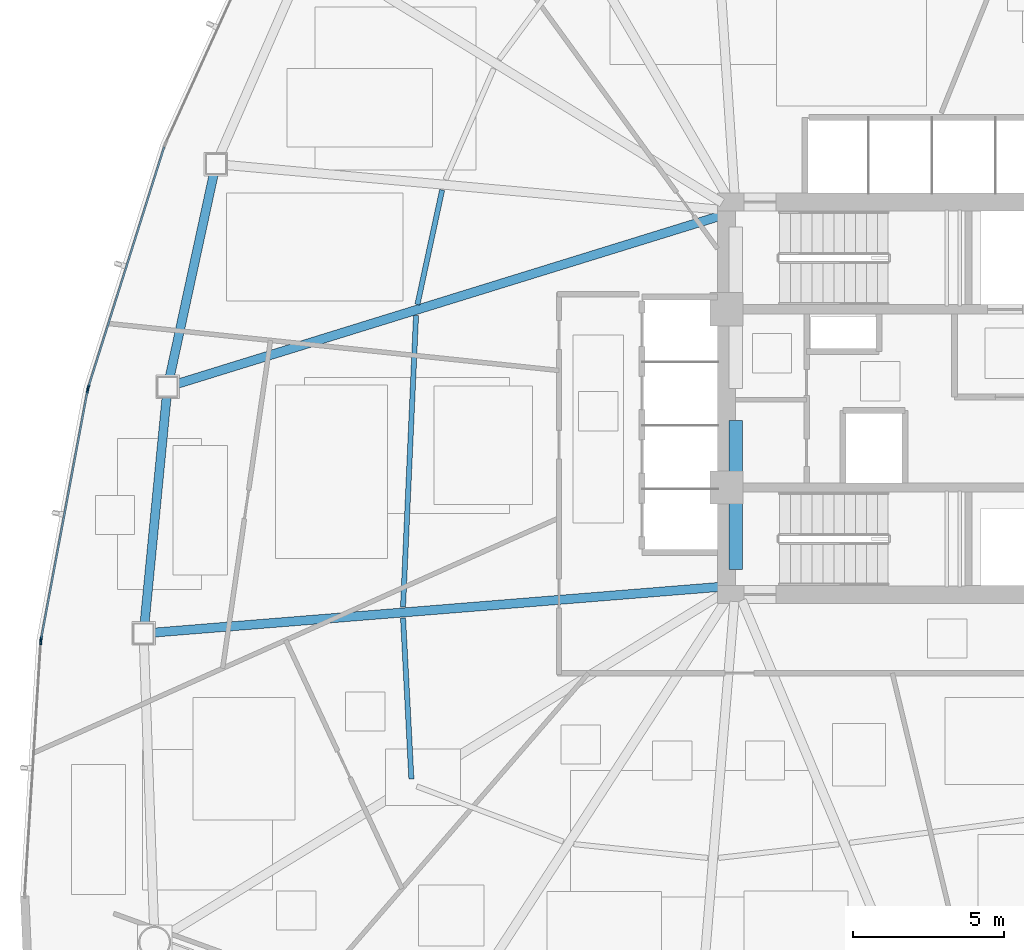
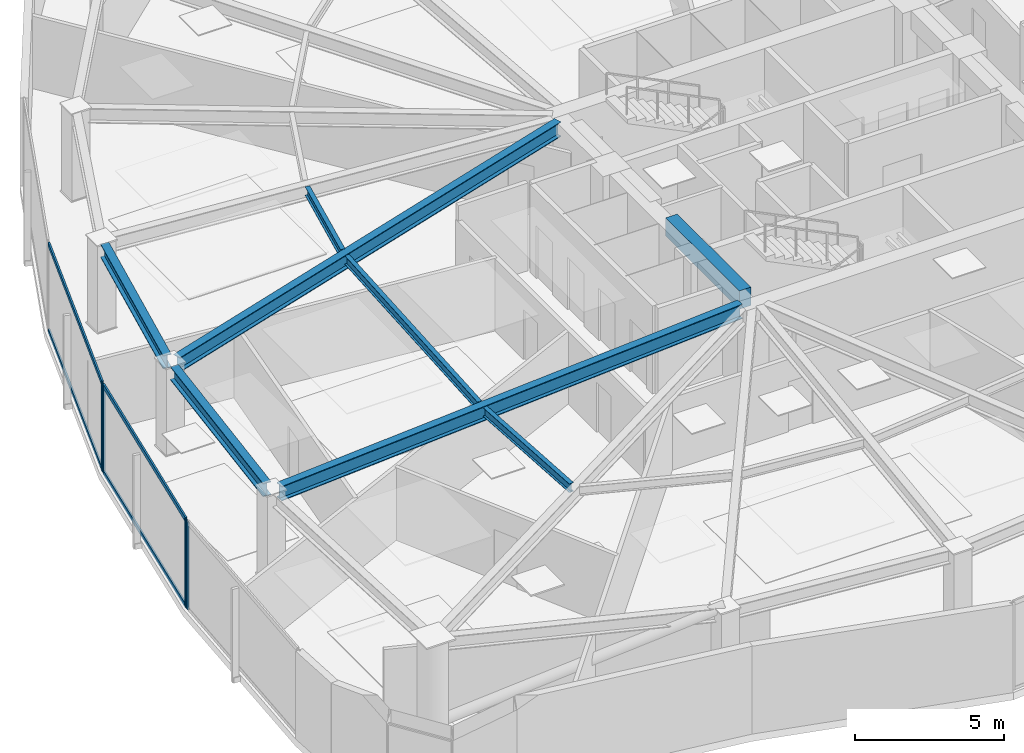
# One storey, part 4 of 18: 8 beams, 8 members, 3 elements without a shape of their own.
"""IFC4 building model written with IfcOpenShell, lengths in metres."""

from ifc_helpers import new_model, si_unit, direction, frame, origin, origin_2d, place, context, subcontext, project, spatial, rectangle, hollow_rectangle, i_section, extrude, source, transform, mapped, material, layer, layer_set, material_profile, profile_set, type_object, type_shapes, element, aggregate, save


model = new_model("IFC4")

# Units and contexts
model_context = context("Model", 3, precision=1e-05, world=origin(), true_north=direction((0.0, 1.0)))
body_context = subcontext(model_context, "Body", "Model", "MODEL_VIEW")
ifc_project = project(units=[si_unit("LENGTHUNIT", "METRE"), si_unit("AREAUNIT", "SQUARE_METRE"), si_unit("VOLUMEUNIT", "CUBIC_METRE"), si_unit("PLANEANGLEUNIT", "RADIAN"), si_unit("MASSUNIT", "GRAM", prefix="KILO")], contexts=[model_context])

# Site, building, storey
site_placement = place(None, origin())
site = spatial("IfcSite", under=ifc_project, at=site_placement, CompositionType="ELEMENT")
building_placement = place(site_placement, origin())
building = spatial("IfcBuilding", under=site, at=building_placement, Name="Tavelor Broadcast Tower", CompositionType="ELEMENT")
storey_placement = place(building_placement, frame((0.0, 0.0, 62.699951171875)))
storey = spatial("IfcBuildingStorey", under=building, at=storey_placement, Name="L14", CompositionType="ELEMENT", Elevation=62.699951171875)

# Beams
ifc_material_1 = material(Name="Concrete C40/50", Category="concrete")
ifc_material_profile_1 = material_profile(ifc_material_1, rectangle(XDim=0.449951171875, YDim=0.75, at=origin_2d()), Name="RC 450x750")
ifc_profile_set_1 = profile_set([ifc_material_profile_1], Name="Concrete C40/50")
beam_type_1 = type_object("IfcBeamType", Name="Basement Core Trim Beam 450x750", PredefinedType="BEAM", material=ifc_profile_set_1)
beam_1_placement = place(storey_placement, frame((43.39990234375, 39.327880859375, 3.22509765625), z_axis=(0.0, 1.0, 0.0), x_axis=(-1.0, 0.0, 0.0)))
element("IfcBeam", 1, at=beam_1_placement, inside=storey, type_object=beam_type_1, Name="L14 Core West-S Tie Girder", PredefinedType="BEAM", context=body_context, shape_type="SweptSolid", body=[
    extrude(rectangle(XDim=0.449951171875, YDim=0.75, at=origin_2d()), origin(), (0.0, 0.0, 1.0), 4.944091796875),
])
ifc_material_2 = material(Name="Steel S355", Category="steel")
ifc_material_profile_2 = material_profile(ifc_material_2, i_section(OverallWidth=0.169921875, OverallDepth=0.360107421875, WebThickness=0.008056640625, FlangeThickness=0.0126953125, at=origin_2d()), Name="IPE 360")
ifc_profile_set_2 = profile_set([ifc_material_profile_2], Name="Steel S355")
beam_type_2 = type_object("IfcBeamType", Name="Composite Floor Joist T2 IPE 360", PredefinedType="JOIST", material=ifc_profile_set_2)
beam_2_placement = place(storey_placement, frame((33.679931640625, 51.899658203125, 3.420166015625), z_axis=(-0.210632825907, -0.97756524726, 0.0), x_axis=(0.97756524726, -0.210632825907, 0.0)))
element("IfcBeam", 2, at=beam_2_placement, inside=storey, type_object=beam_type_2, Name="L14 Secondary Composite Floor Joist 04", PredefinedType="JOIST", context=body_context, shape_type="SweptSolid", body=[
    extrude(i_section(OverallWidth=0.169921875, OverallDepth=0.360107421875, WebThickness=0.008056640625, FlangeThickness=0.0126953125, at=origin_2d()), origin(), (0.0, 0.0, 1.0), 3.8818359375),
])
beam_3_placement = place(storey_placement, frame((32.816162109375, 47.747314453125, 3.420166015625), z_axis=(-0.044602263152, -0.999004823873, 0.0), x_axis=(0.999004823873, -0.044602263152, 0.0)))
element("IfcBeam", 3, at=beam_3_placement, inside=storey, type_object=beam_type_2, Name="L14 Secondary Composite Floor Joist 05", PredefinedType="JOIST", context=body_context, shape_type="SweptSolid", body=[
    extrude(i_section(OverallWidth=0.169921875, OverallDepth=0.360107421875, WebThickness=0.008056640625, FlangeThickness=0.0126953125, at=origin_2d()), origin(), (0.0, 0.0, 1.0), 9.66650390625),
])
beam_4_placement = place(storey_placement, frame((32.386474609375, 37.72900390625, 3.420166015625), z_axis=(0.051611065527, -0.998667260861, 0.0), x_axis=(0.998667260861, 0.051611065527, 0.0)))
element("IfcBeam", 4, at=beam_4_placement, inside=storey, type_object=beam_type_2, Name="L14 Secondary Composite Floor Joist 06", PredefinedType="JOIST", context=body_context, shape_type="SweptSolid", body=[
    extrude(i_section(OverallWidth=0.169921875, OverallDepth=0.360107421875, WebThickness=0.008056640625, FlangeThickness=0.0126953125, at=origin_2d()), origin(), (0.0, 0.0, 1.0), 5.340576171875),
])
ifc_material_profile_3 = material_profile(ifc_material_2, i_section(OverallWidth=0.300048828125, OverallDepth=0.550048828125, WebThickness=0.014892578125, FlangeThickness=0.029052734375, at=origin_2d()), Name="HEB 550")
ifc_profile_set_3 = profile_set([ifc_material_profile_3], Name="Steel S355")
beam_type_3 = type_object("IfcBeamType", Name="Perimeter Spandrel Beam T2 HEB 550", PredefinedType="SPANDREL", material=ifc_profile_set_3)
beam_5_placement = place(storey_placement, frame((26.1181640625, 52.4296875, 3.324951171875), z_axis=(-0.211875421449, -0.977296682582, 0.0), x_axis=(0.977296682582, -0.211875421449, 0.0)))
element("IfcBeam", 5, at=beam_5_placement, inside=storey, type_object=beam_type_3, Name="L14 Framed-Tube Ring Spandrel 04", PredefinedType="SPANDREL", context=body_context, shape_type="SweptSolid", body=[
    extrude(i_section(OverallWidth=0.300048828125, OverallDepth=0.550048828125, WebThickness=0.014892578125, FlangeThickness=0.029052734375, at=origin_2d()), origin(), (0.0, 0.0, 1.0), 6.876708984375),
])
beam_6_placement = place(storey_placement, frame((24.557373046875, 45.04638671875, 3.324951171875), z_axis=(-0.096929220198, -0.9952912771, 0.0), x_axis=(0.9952912771, -0.096929220198, 0.0)))
element("IfcBeam", 6, at=beam_6_placement, inside=storey, type_object=beam_type_3, Name="L14 Framed-Tube Ring Spandrel 05", PredefinedType="SPANDREL", context=body_context, shape_type="SweptSolid", body=[
    extrude(i_section(OverallWidth=0.300048828125, OverallDepth=0.550048828125, WebThickness=0.014892578125, FlangeThickness=0.029052734375, at=origin_2d()), origin(), (0.0, 0.0, 1.0), 7.531005859375),
])
ifc_material_profile_4 = material_profile(ifc_material_2, i_section(OverallWidth=0.300048828125, OverallDepth=0.60009765625, WebThickness=0.015380859375, FlangeThickness=0.030029296875, at=origin_2d()), Name="HEB 600")
ifc_profile_set_4 = profile_set([ifc_material_profile_4], Name="Steel S355")
beam_type_4 = type_object("IfcBeamType", Name="Radial Floor Girder T2 HEB 600", PredefinedType="BEAM", material=ifc_profile_set_4)
beam_7_placement = place(storey_placement, frame((42.8955078125, 51.0439453125, 3.300048828125), z_axis=(-0.9553264377, -0.295552698231, 0.0), x_axis=(0.295552698231, -0.9553264377, 0.0)))
element("IfcBeam", 7, at=beam_7_placement, inside=storey, type_object=beam_type_4, Name="L14 Radial Primary Floor Girder 05", PredefinedType="BEAM", context=body_context, shape_type="SweptSolid", body=[
    extrude(i_section(OverallWidth=0.300048828125, OverallDepth=0.60009765625, WebThickness=0.015380859375, FlangeThickness=0.030029296875, at=origin_2d()), origin(), (0.0, 0.0, 1.0), 18.82568359375),
])
beam_8_placement = place(storey_placement, frame((42.873779296875, 38.757568359375, 3.300048828125), z_axis=(-0.996753141144, -0.080518169498, 0.0), x_axis=(0.080518169498, -0.996753141144, 0.0)))
element("IfcBeam", 8, at=beam_8_placement, inside=storey, type_object=beam_type_4, Name="L14 Radial Primary Floor Girder 06", PredefinedType="BEAM", context=body_context, shape_type="SweptSolid", body=[
    extrude(i_section(OverallWidth=0.300048828125, OverallDepth=0.60009765625, WebThickness=0.015380859375, FlangeThickness=0.030029296875, at=origin_2d()), origin(), (0.0, 0.0, 1.0), 18.80517578125),
])

# Curtain wall, member
ifc_material_3 = material(Name="Architectural Anodized Aluminium", Category="aluminium")
ifc_layer = layer(ifc_material_3, 0.179931640625)
ifc_layer_set = layer_set([ifc_layer], Name="Architectural Anodized Aluminium")
curtain_wall_type = type_object("IfcCurtainWallType", Name="Tower Low-Zone Unitised Curtain Wall CW02", PredefinedType="NOTDEFINED", material=ifc_layer_set)
curtain_wall_1_placement = place(storey_placement, origin())
curtain_wall_1 = element("IfcCurtainWall", 9, at=curtain_wall_1_placement, inside=storey, type_object=curtain_wall_type, Name="L14 Curtain Wall CW02 Run 122", PredefinedType="NOTDEFINED")
ifc_material_profile_5 = material_profile(ifc_material_3, hollow_rectangle(XDim=0.06494140625, YDim=0.179931640625, WallThickness=0.02197265625, at=origin_2d()), Name="RHS 65x180x22")
ifc_profile_set_5 = profile_set([ifc_material_profile_5], Name="Architectural Anodized Aluminium")
member_type_1 = type_object("IfcMemberType", Name="CW02 Extruded Aluminium Mullion 65x180", PredefinedType="MULLION", material=ifc_profile_set_5)
shared_shape_1 = source(origin(), body_context, "Body", "SweptSolid", [
    extrude(hollow_rectangle(XDim=0.06494140625, YDim=0.179931640625, WallThickness=0.02197265625, at=origin_2d()), origin(), (0.0, 0.0, 1.0), 3.60009765625),
])
type_shapes(member_type_1, [shared_shape_1])
member_1_placement = place(storey_placement, frame((21.9638671875, 45.361572265625, 0.0), z_axis=(0.0, 0.0, 1.0), x_axis=(0.953586956311, -0.301117778873, 0.0)))
member_1 = element("IfcMember", 10, at=member_1_placement, type_object=member_type_1, Name="CW02 mullion 2", PredefinedType="MULLION", context=body_context, shape_type="MappedRepresentation", body=[
    mapped(shared_shape_1, transform((0.0, 0.0, 0.0), scale=1.0)),
])

# Curtain wall, members
curtain_wall_2_placement = place(storey_placement, origin())
curtain_wall_2 = element("IfcCurtainWall", 11, at=curtain_wall_2_placement, inside=storey, type_object=curtain_wall_type, Name="L14 Curtain Wall CW02 Run 123", PredefinedType="NOTDEFINED")
member_2_placement = place(storey_placement, frame((21.94091796875, 45.26953125, 0.0), z_axis=(0.0, 0.0, 1.0), x_axis=(0.983018399206, -0.183507021182, 0.0)))
member_2 = element("IfcMember", 12, at=member_2_placement, type_object=member_type_1, Name="CW02 mullion 1", PredefinedType="MULLION", context=body_context, shape_type="MappedRepresentation", body=[
    mapped(shared_shape_1, transform((0.0, 0.0, 0.0), scale=1.0)),
])
member_3_placement = place(storey_placement, frame((20.40185546875, 37.0244140625, 0.0), z_axis=(0.0, 0.0, 1.0), x_axis=(0.983018399206, -0.183507021182, 0.0)))
member_3 = element("IfcMember", 13, at=member_3_placement, type_object=member_type_1, Name="CW02 mullion 2", PredefinedType="MULLION", context=body_context, shape_type="MappedRepresentation", body=[
    mapped(shared_shape_1, transform((0.0, 0.0, 0.0), scale=1.0)),
])

# Curtain wall, member
curtain_wall_3_placement = place(storey_placement, origin())
curtain_wall_3 = element("IfcCurtainWall", 14, at=curtain_wall_3_placement, inside=storey, type_object=curtain_wall_type, Name="L14 Curtain Wall CW02 Run 124", PredefinedType="NOTDEFINED")
member_4_placement = place(storey_placement, frame((20.39013671875, 36.930419921875, 0.0), z_axis=(0.0, 0.0, 1.0), x_axis=(0.998000964213, -0.063198698004, 0.0)))
member_4 = element("IfcMember", 15, at=member_4_placement, type_object=member_type_1, Name="CW02 mullion 1", PredefinedType="MULLION", context=body_context, shape_type="MappedRepresentation", body=[
    mapped(shared_shape_1, transform((0.0, 0.0, 0.0), scale=1.0)),
])
aggregate(curtain_wall_3, [member_4])

# Member
ifc_material_profile_6 = material_profile(ifc_material_3, hollow_rectangle(XDim=0.06494140625, YDim=0.179931640625, WallThickness=0.02197265625, at=origin_2d()), Name="RHS 65x180x22")
ifc_profile_set_6 = profile_set([ifc_material_profile_6], Name="Architectural Anodized Aluminium")
member_type_2 = type_object("IfcMemberType", Name="CW02 Extruded Aluminium Transom 65x180", PredefinedType="USERDEFINED", material=ifc_profile_set_6)
shared_shape_2 = source(origin(), body_context, "Body", "SweptSolid", [
    extrude(hollow_rectangle(XDim=0.06494140625, YDim=0.179931640625, WallThickness=0.02197265625, at=origin_2d()), origin(), (0.0, 0.0, 1.0), 8.322509765625),
])
type_shapes(member_type_2, [shared_shape_2])
member_5_placement = place(storey_placement, frame((24.479736328125, 53.328857421875, 0.032470703125), z_axis=(-0.301094865171, -0.953594191555, 0.0), x_axis=(0.953594191555, -0.301094865171, 0.0)))
member_5 = element("IfcMember", 16, at=member_5_placement, type_object=member_type_2, Name="CW02 transom 1.1", ObjectType="TRANSOM", PredefinedType="USERDEFINED", context=body_context, shape_type="MappedRepresentation", body=[
    mapped(shared_shape_2, transform((0.0, 0.0, 0.0), scale=1.0)),
])

member_6_placement = place(storey_placement, frame((24.479736328125, 53.328857421875, 3.567626953125), z_axis=(-0.301094865171, -0.953594191555, 0.0), x_axis=(0.953594191555, -0.301094865171, 0.0)))
member_6 = element("IfcMember", 17, at=member_6_placement, type_object=member_type_2, Name="CW02 transom 1.2", ObjectType="TRANSOM", PredefinedType="USERDEFINED", context=body_context, shape_type="MappedRepresentation", body=[
    mapped(shared_shape_2, transform((0.0, 0.0, 0.0), scale=1.0)),
])

aggregate(curtain_wall_1, [member_1, member_5, member_6])

member_7_placement = place(storey_placement, frame((21.93505859375, 45.237548828125, 0.032470703125), z_axis=(-0.183519790862, -0.983016015313, 0.0), x_axis=(0.983016015313, -0.183519790862, 0.0)))
member_7 = element("IfcMember", 18, at=member_7_placement, type_object=member_type_2, Name="CW02 transom 1.1", ObjectType="TRANSOM", PredefinedType="USERDEFINED", context=body_context, shape_type="MappedRepresentation", body=[
    mapped(shared_shape_2, transform((0.0, 0.0, 0.0), scale=1.0)),
])

member_8_placement = place(storey_placement, frame((21.93505859375, 45.237548828125, 3.567626953125), z_axis=(-0.183519790862, -0.983016015313, 0.0), x_axis=(0.983016015313, -0.183519790862, 0.0)))
member_8 = element("IfcMember", 19, at=member_8_placement, type_object=member_type_2, Name="CW02 transom 1.2", ObjectType="TRANSOM", PredefinedType="USERDEFINED", context=body_context, shape_type="MappedRepresentation", body=[
    mapped(shared_shape_2, transform((0.0, 0.0, 0.0), scale=1.0)),
])

aggregate(curtain_wall_2, [member_2, member_3, member_7, member_8])

save(model, "model.ifc")
